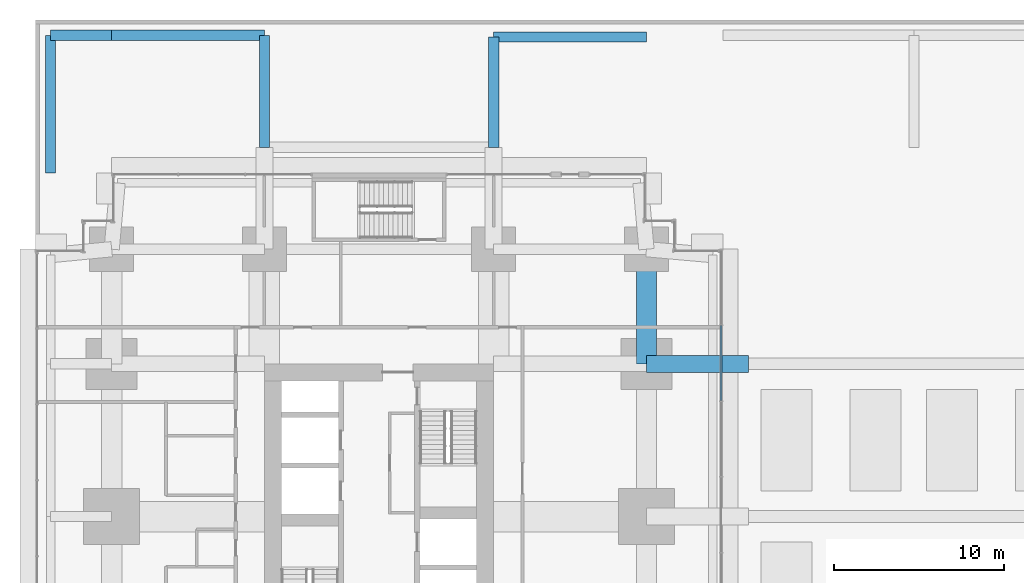
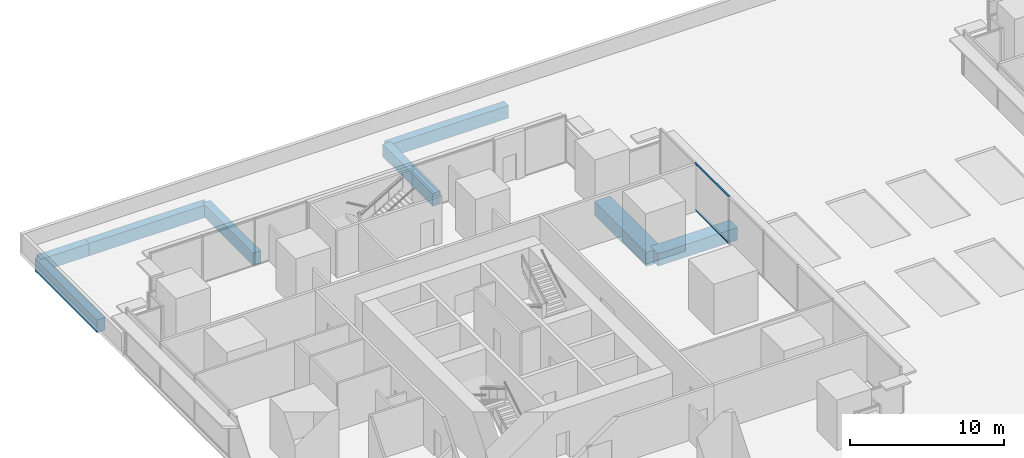
# One storey, part 10 of 34: 8 beams, 2 members, 1 element without a shape of its own.
"""IFC4 building model written with IfcOpenShell, lengths in metres."""

from ifc_helpers import new_model, si_unit, direction, frame, origin, origin_2d, place, context, subcontext, project, spatial, rectangle, extrude, material, layer, layer_set, material_profile, profile_set, type_object, element, aggregate, save


model = new_model("IFC4")

# Units and contexts
model_context = context("Model", 3, precision=1e-05, world=origin(), true_north=direction((0.0, 1.0)))
body_context = subcontext(model_context, "Body", "Model", "MODEL_VIEW")
ifc_project = project(units=[si_unit("LENGTHUNIT", "METRE"), si_unit("AREAUNIT", "SQUARE_METRE"), si_unit("VOLUMEUNIT", "CUBIC_METRE"), si_unit("PLANEANGLEUNIT", "RADIAN"), si_unit("MASSUNIT", "GRAM", prefix="KILO")], contexts=[model_context])

# Site, building, storey
site_placement = place(None, origin())
site = spatial("IfcSite", under=ifc_project, at=site_placement, CompositionType="ELEMENT")
building_placement = place(site_placement, origin())
building = spatial("IfcBuilding", under=site, at=building_placement, Name="Namib Vertical Campus", CompositionType="ELEMENT")
storey_placement = place(building_placement, frame((0.0, 0.0, 21.0)))
storey = spatial("IfcBuildingStorey", under=building, at=storey_placement, Name="L04", CompositionType="ELEMENT", Elevation=21.0)

# Curtain wall, members
ifc_material_1 = material(Name="Black aluminium curtain wall", Category="aluminium")
ifc_layer = layer(ifc_material_1, 0.199951171875)
ifc_layer_set = layer_set([ifc_layer], Name="Lounge curtain wall CW-L4")
curtain_wall_type = type_object("IfcCurtainWallType", Name="Lounge curtain wall CW-L4", PredefinedType="USERDEFINED", material=ifc_layer_set)
curtain_wall_placement = place(storey_placement, origin())
curtain_wall = element("IfcCurtainWall", 1, at=curtain_wall_placement, inside=storey, type_object=curtain_wall_type, Name="Curtain wall CW-L4 L04 F06-1", ObjectType="CURTAIN WALL", PredefinedType="USERDEFINED")
ifc_material_2 = material(Name="Black anodised aluminium", Category="aluminium")
ifc_material_profile_1 = material_profile(ifc_material_2, rectangle(XDim=0.06005859375, YDim=0.1201171875, at=origin_2d()))
ifc_profile_set_1 = profile_set([ifc_material_profile_1], Name="Black anodised aluminium")
member_type = type_object("IfcMemberType", Name="Curtain wall transom 60x120", PredefinedType="USERDEFINED", material=ifc_profile_set_1)
member_1_placement = place(storey_placement, frame((40.39990234375, 27.087158203125, 0.030029296875), z_axis=(0.0, 1.0, 0.0), x_axis=(0.0, 0.0, 1.0)))
member_1 = element("IfcMember", 2, at=member_1_placement, type_object=member_type, Name="CW-L4 transom 6.1", ObjectType="TRANSOM", PredefinedType="USERDEFINED", context=body_context, shape_type="SweptSolid", body=[
    extrude(rectangle(XDim=0.06005859375, YDim=0.1201171875, at=origin_2d()), origin(), (0.0, 0.0, 1.0), 4.411376953125),
])
member_2_placement = place(storey_placement, frame((40.39990234375, 27.087158203125, 3.719970703125), z_axis=(0.0, 1.0, 0.0), x_axis=(0.0, 0.0, 1.0)))
member_2 = element("IfcMember", 3, at=member_2_placement, type_object=member_type, Name="CW-L4 transom 6.2", ObjectType="TRANSOM", PredefinedType="USERDEFINED", context=body_context, shape_type="SweptSolid", body=[
    extrude(rectangle(XDim=0.06005859375, YDim=0.1201171875, at=origin_2d()), origin(), (0.0, 0.0, 1.0), 4.411376953125),
])
aggregate(curtain_wall, [member_1, member_2])

# Beams
ifc_material_3 = material(Name="Concrete C40/50", Category="concrete")
ifc_material_profile_2 = material_profile(ifc_material_3, rectangle(XDim=1.199951171875, YDim=1.10009765625, at=origin_2d()))
ifc_profile_set_2 = profile_set([ifc_material_profile_2], Name="Concrete C40/50")
beam_type_1 = type_object("IfcBeamType", Name="Face ring beam RC 1200x1100", PredefinedType="BEAM", material=ifc_profile_set_2)
beam_1_placement = place(storey_placement, frame((36.0, 29.25, -0.85009765625), z_axis=(0.0, 1.0, 0.0), x_axis=(-1.0, 0.0, 0.0)))
element("IfcBeam", 4, at=beam_1_placement, inside=storey, type_object=beam_type_1, Name="Beam B11 L04", PredefinedType="BEAM", context=body_context, shape_type="SweptSolid", body=[
    extrude(rectangle(XDim=1.199951171875, YDim=1.10009765625, at=origin_2d()), origin(), (0.0, 0.0, 1.0), 6.75),
])
ifc_material_4 = material(Name="Concrete C40/50", Category="concrete")
ifc_material_profile_3 = material_profile(ifc_material_4, rectangle(XDim=0.60009765625, YDim=1.0, at=origin_2d()))
ifc_profile_set_3 = profile_set([ifc_material_profile_3], Name="Concrete C40/50")
beam_type_2 = type_object("IfcBeamType", Name="Podium beam RC 600x1000", PredefinedType="BEAM", material=ifc_profile_set_3)
beam_2_placement = place(storey_placement, frame((0.89990234375, 40.5, -0.800048828125), z_axis=(0.0, 1.0, 0.0), x_axis=(-1.0, 0.0, 0.0)))
element("IfcBeam", 5, at=beam_2_placement, inside=storey, type_object=beam_type_2, Name="Beam PB1 L04", PredefinedType="BEAM", context=body_context, shape_type="SweptSolid", body=[
    extrude(rectangle(XDim=0.60009765625, YDim=1.0, at=origin_2d()), origin(), (0.0, 0.0, 1.0), 8.10009765625),
])
beam_3_placement = place(storey_placement, frame((13.5, 42.0, -0.800048828125), z_axis=(0.0, 1.0, 0.0), x_axis=(-1.0, 0.0, 0.0)))
element("IfcBeam", 6, at=beam_3_placement, inside=storey, type_object=beam_type_2, Name="Beam PB1 L04", PredefinedType="BEAM", context=body_context, shape_type="SweptSolid", body=[
    extrude(rectangle(XDim=0.60009765625, YDim=1.0, at=origin_2d()), origin(), (0.0, 0.0, 1.0), 6.60009765625),
])
beam_4_placement = place(storey_placement, frame((27.0, 42.0, -0.800048828125), z_axis=(0.0, 1.0, 0.0), x_axis=(-1.0, 0.0, 0.0)))
element("IfcBeam", 7, at=beam_4_placement, inside=storey, type_object=beam_type_2, Name="Beam PB1 L04", PredefinedType="BEAM", context=body_context, shape_type="SweptSolid", body=[
    extrude(rectangle(XDim=0.60009765625, YDim=1.0, at=origin_2d()), origin(), (0.0, 0.0, 1.0), 6.5),
])
beam_5_placement = place(storey_placement, frame((27.0, 48.5, -0.800048828125), z_axis=(1.0, 0.0, 0.0), x_axis=(0.0, 1.0, 0.0)))
element("IfcBeam", 8, at=beam_5_placement, inside=storey, type_object=beam_type_2, Name="Beam PB1 L04", PredefinedType="BEAM", context=body_context, shape_type="SweptSolid", body=[
    extrude(rectangle(XDim=0.60009765625, YDim=1.0, at=origin_2d()), origin(), (0.0, 0.0, 1.0), 9.0),
])
beam_6_placement = place(storey_placement, frame((0.89990234375, 48.60009765625, -0.800048828125), z_axis=(1.0, 0.0, 0.0), x_axis=(0.0, 1.0, 0.0)))
element("IfcBeam", 9, at=beam_6_placement, inside=storey, type_object=beam_type_2, Name="Beam PB1 L04", PredefinedType="BEAM", context=body_context, shape_type="SweptSolid", body=[
    extrude(rectangle(XDim=0.60009765625, YDim=1.0, at=origin_2d()), origin(), (0.0, 0.0, 1.0), 3.60009765625),
])
beam_7_placement = place(storey_placement, frame((4.5, 48.60009765625, -0.800048828125), z_axis=(1.0, 0.0, 0.0), x_axis=(0.0, 1.0, 0.0)))
element("IfcBeam", 10, at=beam_7_placement, inside=storey, type_object=beam_type_2, Name="Beam PB1 L04", PredefinedType="BEAM", context=body_context, shape_type="SweptSolid", body=[
    extrude(rectangle(XDim=0.60009765625, YDim=1.0, at=origin_2d()), origin(), (0.0, 0.0, 1.0), 9.0),
])
ifc_material_5 = material(Name="Concrete C40/50", Category="concrete")
ifc_material_profile_4 = material_profile(ifc_material_5, rectangle(XDim=1.0, YDim=1.0, at=origin_2d()))
ifc_profile_set_4 = profile_set([ifc_material_profile_4], Name="Concrete C40/50")
beam_type_3 = type_object("IfcBeamType", Name="Podium tie beam RC 1000x1000", PredefinedType="BEAM", material=ifc_profile_set_4)
beam_8_placement = place(storey_placement, frame((36.0, 29.25, -0.800048828125), z_axis=(1.0, 0.0, 0.0), x_axis=(0.0, 1.0, 0.0)))
element("IfcBeam", 11, at=beam_8_placement, inside=storey, type_object=beam_type_3, Name="Beam PB3 L04", PredefinedType="BEAM", context=body_context, shape_type="SweptSolid", body=[
    extrude(rectangle(XDim=1.0, YDim=1.0, at=origin_2d()), origin(), (0.0, 0.0, 1.0), 6.0),
])

save(model, "model.ifc")
